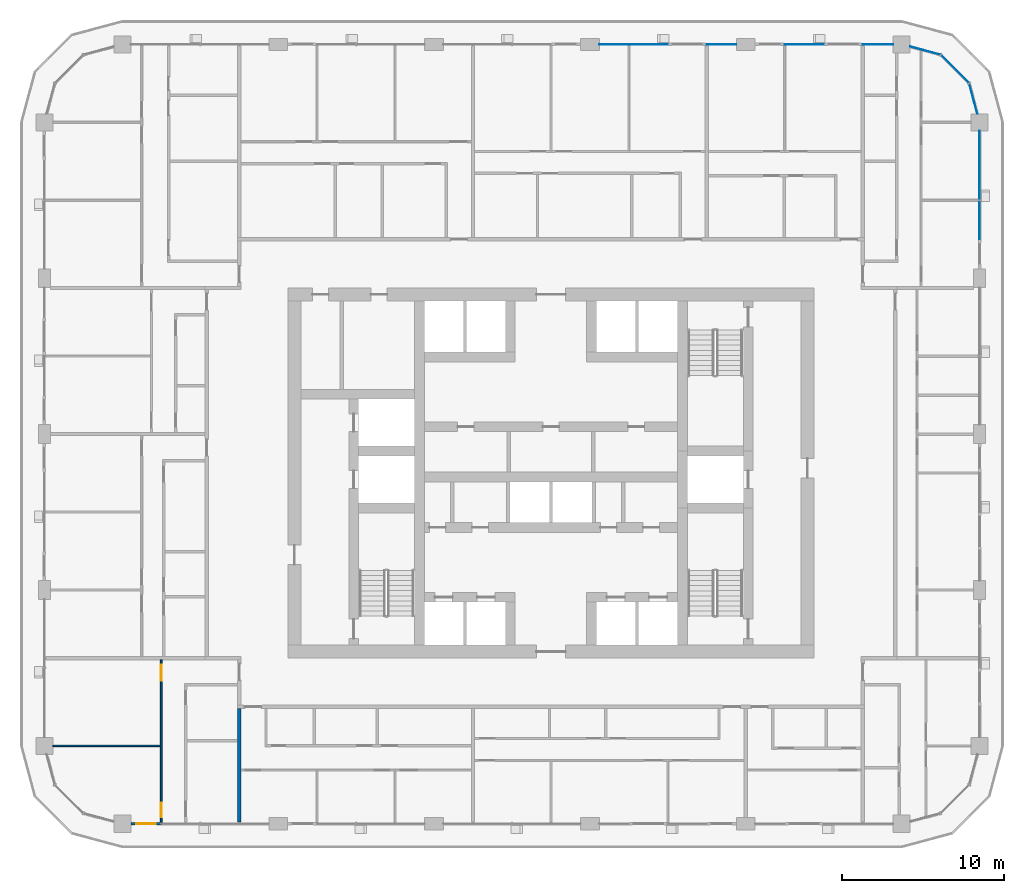
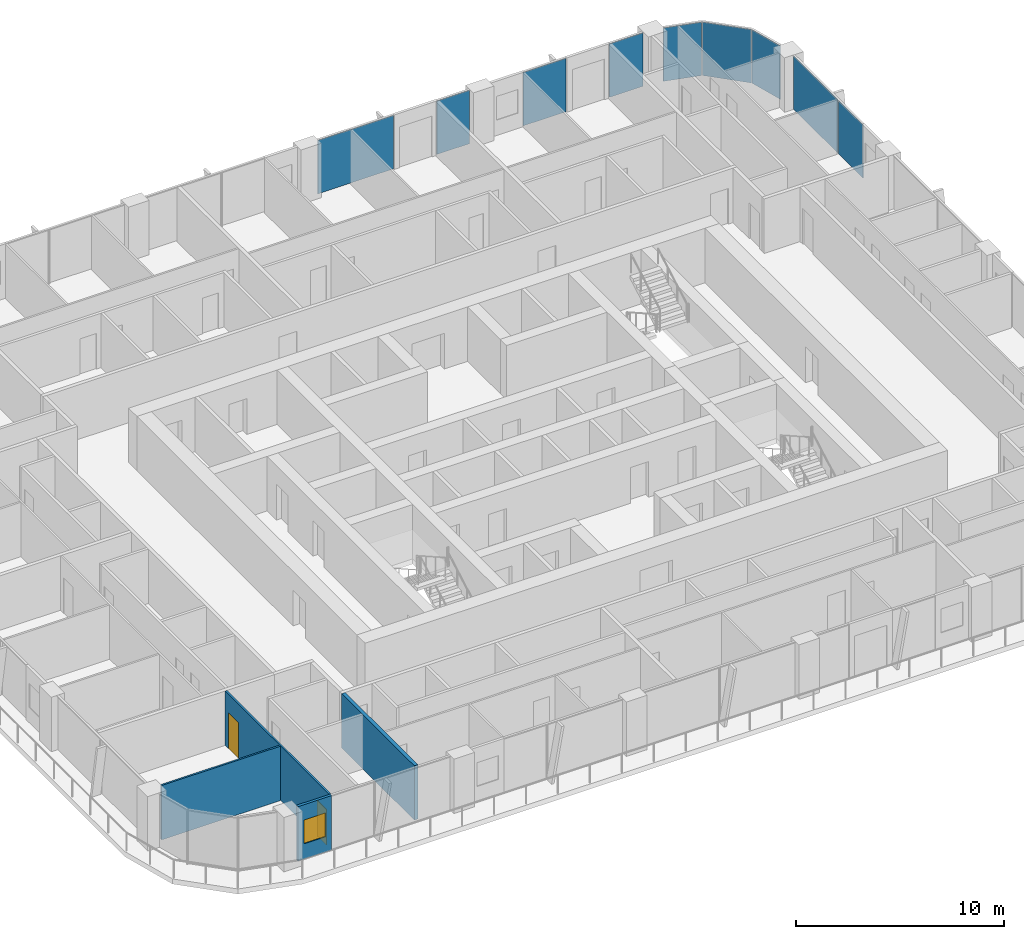
# One storey, part 8 of 22: 9 plates, 4 walls, 2 doors, 1 window, 3 openings, 4 elements without a shape of their own.
"""IFC4 building model written with IfcOpenShell, lengths in metres."""

from ifc_helpers import new_model, si_unit, direction, frame, frame_2d, origin, origin_2d, place, context, subcontext, project, spatial, rectangle, extrude, material, layer, layer_set, type_object, element, fill, aggregate, save


model = new_model("IFC4")

# Units and contexts
model_context = context("Model", 3, precision=1e-05, world=origin(), true_north=direction((0.0, 1.0)))
body_context = subcontext(model_context, "Body", "Model", "MODEL_VIEW")
ifc_project = project(units=[si_unit("LENGTHUNIT", "METRE"), si_unit("AREAUNIT", "SQUARE_METRE"), si_unit("VOLUMEUNIT", "CUBIC_METRE"), si_unit("PLANEANGLEUNIT", "RADIAN"), si_unit("MASSUNIT", "GRAM", prefix="KILO")], contexts=[model_context])

# Site, building, storey
site_placement = place(None, origin())
site = spatial("IfcSite", under=ifc_project, at=site_placement, CompositionType="ELEMENT")
building_placement = place(site_placement, origin())
building = spatial("IfcBuilding", under=site, at=building_placement, Name="Madar Terraces", CompositionType="ELEMENT")
storey_placement = place(building_placement, frame((0.0, 0.0, 122.60009765625)))
storey = spatial("IfcBuildingStorey", under=building, at=storey_placement, Name="L31", CompositionType="ELEMENT", Elevation=122.60009765625)

# Curtain wall, plates
ifc_material_1 = material(Name="Glass, ceramic frit dark grey, with black aluminium frame", Category="aluminium")
ifc_layer_1 = layer(ifc_material_1, 0.199951171875)
ifc_layer_set_1 = layer_set([ifc_layer_1], Name="Facade curtain wall, fritted glass")
curtain_wall_type = type_object("IfcCurtainWallType", Name="Facade curtain wall, fritted glass", PredefinedType="NOTDEFINED", material=ifc_layer_set_1)
curtain_wall_1_placement = place(storey_placement, origin())
curtain_wall_1 = element("IfcCurtainWall", 1, at=curtain_wall_1_placement, inside=storey, type_object=curtain_wall_type, Name="Outer skin curtain wall east bay 4", PredefinedType="NOTDEFINED")
ifc_material_2 = material(Name="Glass, ceramic frit dark grey", Category="glass")
ifc_layer_2 = layer(ifc_material_2, 0.028076171875)
ifc_layer_set_2 = layer_set([ifc_layer_2], Name="Facade glass panel 28")
plate_type = type_object("IfcPlateType", Name="Facade glass panel 28", PredefinedType="CURTAIN_PANEL", material=ifc_layer_set_2)
plate_1_placement = place(storey_placement, frame((57.60009765625, 41.985107421875, 0.0), z_axis=(0.0, 0.0, 1.0), x_axis=(0.0, 1.0, 0.0)))
plate_1 = element("IfcPlate", 2, at=plate_1_placement, type_object=plate_type, Name="Panel 1", PredefinedType="CURTAIN_PANEL", context=body_context, shape_type="SweptSolid", body=[
    extrude(rectangle(XDim=2.3701171875, YDim=0.028076171875, at=origin_2d()), origin(), (0.0, 0.0, 1.0), 3.139892578125),
])
plate_2_placement = place(storey_placement, frame((57.60009765625, 45.3525390625, 0.0), z_axis=(0.0, 0.0, 1.0), x_axis=(0.0, 1.0, 0.0)))
plate_2 = element("IfcPlate", 3, at=plate_2_placement, type_object=plate_type, Name="Panel 2", PredefinedType="CURTAIN_PANEL", context=body_context, shape_type="SweptSolid", body=[
    extrude(rectangle(XDim=4.2451171875, YDim=0.028076171875, at=origin_2d()), origin(), (0.0, 0.0, 1.0), 3.139892578125),
])
aggregate(curtain_wall_1, [plate_1, plate_2])

curtain_wall_2_placement = place(storey_placement, origin())
curtain_wall_2 = element("IfcCurtainWall", 4, at=curtain_wall_2_placement, inside=storey, type_object=curtain_wall_type, Name="Outer skin curtain wall north bay 1", PredefinedType="NOTDEFINED")
plate_3_placement = place(storey_placement, frame((51.33740234375, 52.800048828125, 0.0), z_axis=(0.0, 0.0, 1.0), x_axis=(-1.0, 0.0, 0.0)))
plate_3 = element("IfcPlate", 5, at=plate_3_placement, type_object=plate_type, Name="Panel 1", PredefinedType="CURTAIN_PANEL", context=body_context, shape_type="SweptSolid", body=[
    extrude(rectangle(XDim=1.875, YDim=0.028076171875, at=origin_2d()), origin(), (0.0, 0.0, 1.0), 3.139892578125),
])
plate_4_placement = place(storey_placement, frame((46.800048828125, 52.800048828125, 0.0), z_axis=(0.0, 0.0, 1.0), x_axis=(-1.0, 0.0, 0.0)))
plate_4 = element("IfcPlate", 6, at=plate_4_placement, type_object=plate_type, Name="Panel 2", PredefinedType="CURTAIN_PANEL", context=body_context, shape_type="SweptSolid", body=[
    extrude(rectangle(XDim=2.39990234375, YDim=0.028076171875, at=origin_2d()), origin(), (0.0, 0.0, 1.0), 3.139892578125),
])
aggregate(curtain_wall_2, [plate_3, plate_4])

curtain_wall_3_placement = place(storey_placement, origin())
curtain_wall_3 = element("IfcCurtainWall", 7, at=curtain_wall_3_placement, inside=storey, type_object=curtain_wall_type, Name="Outer skin curtain wall north bay 2", PredefinedType="NOTDEFINED")
plate_5_placement = place(storey_placement, frame((41.71240234375, 52.800048828125, 0.0), z_axis=(0.0, 0.0, 1.0), x_axis=(-1.0, 0.0, 0.0)))
plate_5 = element("IfcPlate", 8, at=plate_5_placement, type_object=plate_type, Name="Panel 1", PredefinedType="CURTAIN_PANEL", context=body_context, shape_type="SweptSolid", body=[
    extrude(rectangle(XDim=1.824951171875, YDim=0.028076171875, at=origin_2d()), origin(), (0.0, 0.0, 1.0), 3.139892578125),
])
plate_6_placement = place(storey_placement, frame((36.28759765625, 52.800048828125, 0.0), z_axis=(0.0, 0.0, 1.0), x_axis=(-1.0, 0.0, 0.0)))
plate_6 = element("IfcPlate", 9, at=plate_6_placement, type_object=plate_type, Name="Panel 2", PredefinedType="CURTAIN_PANEL", context=body_context, shape_type="SweptSolid", body=[
    extrude(rectangle(XDim=4.22509765625, YDim=0.028076171875, at=origin_2d()), origin(), (0.0, 0.0, 1.0), 3.139892578125),
])
aggregate(curtain_wall_3, [plate_5, plate_6])

curtain_wall_4_placement = place(storey_placement, origin())
curtain_wall_4 = element("IfcCurtainWall", 10, at=curtain_wall_4_placement, inside=storey, type_object=curtain_wall_type, Name="Outer skin curtain wall north-east corner", PredefinedType="NOTDEFINED")
plate_7_placement = place(storey_placement, frame((57.2119140625, 49.447998046875, 0.0), z_axis=(0.0, 0.0, 1.0), x_axis=(-0.258819021888, 0.965925832509, 0.0)))
plate_7 = element("IfcPlate", 11, at=plate_7_placement, type_object=plate_type, Name="Panel 1", PredefinedType="CURTAIN_PANEL", context=body_context, shape_type="SweptSolid", body=[
    extrude(rectangle(XDim=1.9111328125, YDim=0.028076171875, at=origin_2d()), origin(), (0.0, 0.0, 1.0), 3.139892578125),
])
plate_8_placement = place(storey_placement, frame((56.078369140625, 51.278564453125, 0.0), z_axis=(0.0, 0.0, 1.0), x_axis=(-0.707106781187, 0.707106781187, 0.0)))
plate_8 = element("IfcPlate", 12, at=plate_8_placement, type_object=plate_type, Name="Panel 2", PredefinedType="CURTAIN_PANEL", context=body_context, shape_type="SweptSolid", body=[
    extrude(rectangle(XDim=2.424560546875, YDim=0.028076171875, at=origin_2d()), origin(), (0.0, 0.0, 1.0), 3.139892578125),
])
plate_9_placement = place(storey_placement, frame((54.248046875, 52.412109375, 0.0), z_axis=(0.0, 0.0, 1.0), x_axis=(-0.965925832509, 0.258819021888, 0.0)))
plate_9 = element("IfcPlate", 13, at=plate_9_placement, type_object=plate_type, Name="Panel 3", PredefinedType="CURTAIN_PANEL", context=body_context, shape_type="SweptSolid", body=[
    extrude(rectangle(XDim=1.9111328125, YDim=0.028076171875, at=origin_2d()), origin(), (0.0, 0.0, 1.0), 3.139892578125),
])
aggregate(curtain_wall_4, [plate_7, plate_8, plate_9])

# Wall, opening, window
ifc_material_3 = material(Name="Aluminium composite panel, black, over insulated backing", Category="aluminium")
ifc_layer_3 = layer(ifc_material_3, 0.14990234375)
ifc_layer_set_3 = layer_set([ifc_layer_3], Name="Facade bay panel 150")
wall_type_1 = type_object("IfcWallType", Name="Facade bay panel 150", PredefinedType="SOLIDWALL", material=ifc_layer_set_3)
wall_1_placement = place(storey_placement, frame((5.324951171875, 4.800048828125, 0.0), z_axis=(0.0, 0.0, 1.0), x_axis=(1.0, 0.0, 0.0)))
wall_1 = element("IfcWall", 14, at=wall_1_placement, inside=storey, type_object=wall_type_1, Name="Facade bay panel", PredefinedType="SOLIDWALL", context=body_context, shape_type="SweptSolid", body=[
    extrude(rectangle(XDim=1.875, YDim=0.14990234375, at=frame_2d((0.9375, 0.0))), origin(), (0.0, 0.0, 1.0), 3.199951171875),
])
opening_1_placement = place(wall_1_placement, frame((0.33740234375, 0.0, 0.89990234375)))
opening_1 = element("IfcOpeningElement", 15, at=opening_1_placement, cuts=wall_1, Name="Opening W1", PredefinedType="OPENING", context=body_context, shape_type="SweptSolid", body=[
    extrude(rectangle(XDim=1.199951171875, YDim=1.39990234375, at=frame_2d((0.60009765625, 0.699951171875))), frame((0.0, 0.0849609375, 0.0), z_axis=(0.0, -1.0, 0.0), x_axis=(1.0, 0.0, 0.0)), (0.0, 0.0, 1.0), 0.169921875),
])
ifc_material_4 = material(Name="Glass, clear, with black aluminium frame", Category="aluminium")
window_type = type_object("IfcWindowType", Name="Vent window 1200 x 1400", PartitioningType="SINGLE_PANEL", PredefinedType="WINDOW", material=ifc_material_4)
window_placement = place(opening_1_placement, origin())
window = element("IfcWindow", 16, at=window_placement, inside=storey, type_object=window_type, Name="Operable vent window", OverallHeight=1.39990234375, OverallWidth=1.199951171875, PartitioningType="SINGLE_PANEL", PredefinedType="WINDOW", context=body_context, shape_type="SweptSolid", body=[
    extrude(rectangle(XDim=1.199951171875, YDim=1.39990234375, at=frame_2d((0.60009765625, 0.699951171875))), frame((0.0, 0.030029296875, 0.0), z_axis=(0.0, -1.0, 0.0), x_axis=(1.0, 0.0, 0.0)), (0.0, 0.0, 1.0), 0.06005859375),
])
fill(opening_1, window)

# Wall
ifc_material_5 = material(Name="Gypsum board on steel studs", Category="steel")
ifc_layer_4 = layer(ifc_material_5, 0.10009765625)
ifc_layer_set_4 = layer_set([ifc_layer_4], Name="Flat partition 100")
wall_type_2 = type_object("IfcWallType", Name="Flat partition 100", PredefinedType="PARTITIONING", material=ifc_layer_set_4)
wall_2_placement = place(storey_placement, frame((7.14990234375, 9.60009765625, 0.0), z_axis=(0.0, 0.0, 1.0), x_axis=(-1.0, 0.0, 0.0)))
element("IfcWall", 17, at=wall_2_placement, inside=storey, type_object=wall_type_2, Name="Flat partition 100", PredefinedType="PARTITIONING", context=body_context, shape_type="SweptSolid", body=[
    extrude(rectangle(XDim=6.625, YDim=0.10009765625, at=frame_2d((3.3125, 0.0))), origin(), (0.0, 0.0, 1.0), 3.199951171875),
])

# Wall, openings, doors
wall_3_placement = place(storey_placement, frame((7.199951171875, 4.89990234375, 0.0), z_axis=(0.0, 0.0, 1.0), x_axis=(0.0, 1.0, 0.0)))
wall_3 = element("IfcWall", 18, at=wall_3_placement, inside=storey, type_object=wall_type_2, Name="Flat partition 100", PredefinedType="PARTITIONING", context=body_context, shape_type="SweptSolid", body=[
    extrude(rectangle(XDim=10.0, YDim=0.10009765625, at=frame_2d((5.0, 0.0))), origin(), (0.0, 0.0, 1.0), 3.199951171875),
])
opening_2_placement = place(wall_3_placement, frame((8.699951171875, 0.0, 0.0)))
opening_2 = element("IfcOpeningElement", 19, at=opening_2_placement, cuts=wall_3, Name="Opening D3", PredefinedType="OPENING", context=body_context, shape_type="SweptSolid", body=[
    extrude(rectangle(XDim=1.0, YDim=2.10009765625, at=frame_2d((0.5, 1.050048828125))), frame((0.0, 0.06005859375, 0.0), z_axis=(0.0, -1.0, 0.0), x_axis=(1.0, 0.0, 0.0)), (0.0, 0.0, 1.0), 0.1201171875),
])
opening_3_placement = place(wall_3_placement, frame((0.300048828125, 0.0, 0.0)))
opening_3 = element("IfcOpeningElement", 20, at=opening_3_placement, cuts=wall_3, Name="Opening D2", PredefinedType="OPENING", context=body_context, shape_type="SweptSolid", body=[
    extrude(rectangle(XDim=0.89990234375, YDim=2.10009765625, at=frame_2d((0.449951171875, 1.050048828125))), frame((0.0, 0.06005859375, 0.0), z_axis=(0.0, -1.0, 0.0), x_axis=(1.0, 0.0, 0.0)), (0.0, 0.0, 1.0), 0.1201171875),
])
ifc_material_6 = material(Name="Timber door leaf", Category="wood")
door_type_1 = type_object("IfcDoorType", Name="Flat living room door 1000", OperationType="NOTDEFINED", PredefinedType="DOOR", material=ifc_material_6)
door_1_placement = place(opening_2_placement, origin())
door_1 = element("IfcDoor", 21, at=door_1_placement, inside=storey, type_object=door_type_1, Name="Flat living room door 1000", OperationType="SINGLE_SWING_RIGHT", OverallHeight=2.10009765625, OverallWidth=1.0, PredefinedType="DOOR", context=body_context, shape_type="SweptSolid", body=[
    extrude(rectangle(XDim=1.0, YDim=2.10009765625, at=frame_2d((0.5, 1.050048828125))), frame((0.0, 0.02490234375, 0.0), z_axis=(0.0, -1.0, 0.0), x_axis=(1.0, 0.0, 0.0)), (0.0, 0.0, 1.0), 0.050048828125),
])
fill(opening_2, door_1)
ifc_material_7 = material(Name="Timber door leaf", Category="wood")
door_type_2 = type_object("IfcDoorType", Name="Flat room door 900", OperationType="NOTDEFINED", PredefinedType="DOOR", material=ifc_material_7)
door_2_placement = place(opening_3_placement, origin())
door_2 = element("IfcDoor", 22, at=door_2_placement, inside=storey, type_object=door_type_2, Name="Flat room door 900", OperationType="SINGLE_SWING_LEFT", OverallHeight=2.10009765625, OverallWidth=0.89990234375, PredefinedType="DOOR", context=body_context, shape_type="SweptSolid", body=[
    extrude(rectangle(XDim=0.89990234375, YDim=2.10009765625, at=frame_2d((0.449951171875, 1.050048828125))), frame((0.0, 0.02490234375, 0.0), z_axis=(0.0, -1.0, 0.0), x_axis=(1.0, 0.0, 0.0)), (0.0, 0.0, 1.0), 0.050048828125),
])
fill(opening_3, door_2)

# Wall
ifc_material_8 = material(Name="Lightweight blockwork", Category="masonry")
ifc_layer_5 = layer(ifc_material_8, 0.199951171875)
ifc_layer_set_5 = layer_set([ifc_layer_5], Name="Flat party and entrance wall 200")
wall_type_3 = type_object("IfcWallType", Name="Flat party and entrance wall 200", PredefinedType="PARTITIONING", material=ifc_layer_set_5)
wall_4_placement = place(storey_placement, frame((12.0, 4.89990234375, 0.0), z_axis=(0.0, 0.0, 1.0), x_axis=(0.0, 1.0, 0.0)))
element("IfcWall", 23, at=wall_4_placement, inside=storey, type_object=wall_type_3, Name="Flat party and entrance wall 200", PredefinedType="PARTITIONING", context=body_context, shape_type="SweptSolid", body=[
    extrude(rectangle(XDim=7.0, YDim=0.199951171875, at=frame_2d((3.5, 0.0))), origin(), (0.0, 0.0, 1.0), 3.199951171875),
])

save(model, "model.ifc")
